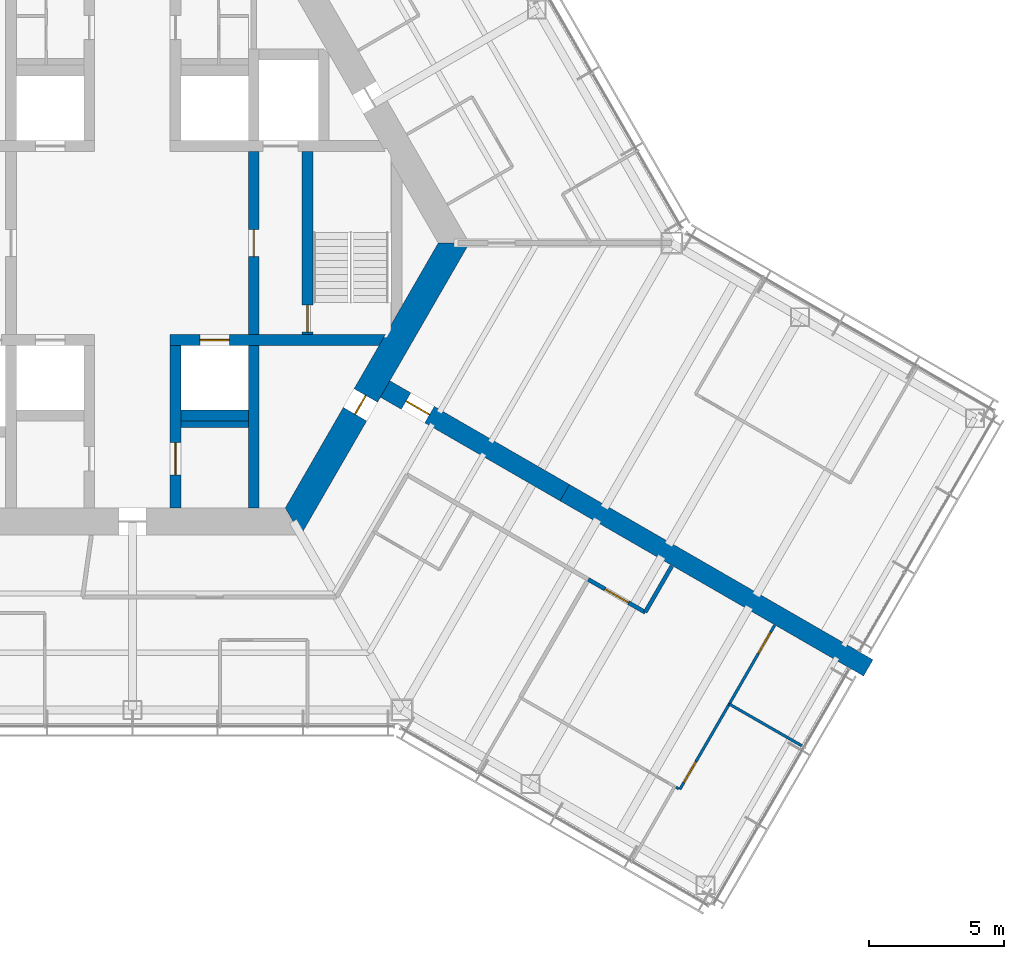
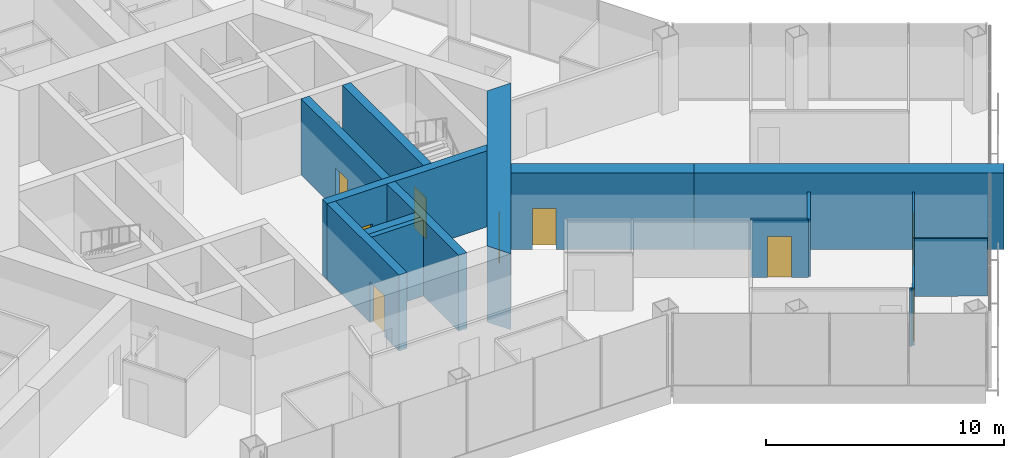
# One storey, part 14 of 19: 16 walls, 9 doors, 9 openings.
"""IFC4 building model written with IfcOpenShell, lengths in metres."""

from ifc_helpers import new_model, si_unit, direction, frame, frame_2d, origin, place, context, subcontext, project, spatial, polyline, rectangle, outline, extrude, material, layer, layer_set, type_object, element, fill, save


model = new_model("IFC4")

# Units and contexts
model_context = context("Model", 3, precision=1e-05, world=origin(), true_north=direction((0.0, 1.0)))
body_context = subcontext(model_context, "Body", "Model", "MODEL_VIEW")
ifc_project = project(units=[si_unit("LENGTHUNIT", "METRE"), si_unit("AREAUNIT", "SQUARE_METRE"), si_unit("VOLUMEUNIT", "CUBIC_METRE"), si_unit("PLANEANGLEUNIT", "RADIAN"), si_unit("MASSUNIT", "GRAM", prefix="KILO")], contexts=[model_context])

# Site, building, storey
site_placement = place(None, origin())
site = spatial("IfcSite", under=ifc_project, at=site_placement, CompositionType="ELEMENT")
building_placement = place(site_placement, origin())
building = spatial("IfcBuilding", under=site, at=building_placement, Name="Kasaneha Research Tower", CompositionType="ELEMENT")
storey_placement = place(building_placement, frame((0.0, 0.0, 156.5)))
storey = spatial("IfcBuildingStorey", under=building, at=storey_placement, Name="L39", CompositionType="ELEMENT", Elevation=156.5)

# Wall, opening, door
ifc_material_1 = material(Name="Concrete Fc70", Category="concrete")
ifc_layer_1 = layer(ifc_material_1, 0.39990234375)
ifc_layer_set_1 = layer_set([ifc_layer_1], Name="Core internal wall 400 Fc70")
wall_type_1 = type_object("IfcWallType", Name="Core internal wall 400 Fc70", PredefinedType="SHEAR", material=ifc_layer_set_1)
wall_1_placement = place(storey_placement, frame((1.39990234375, -3.60009765625, 0.0), z_axis=(0.0, 0.0, 1.0), x_axis=(1.0, 0.0, 0.0)))
wall_1 = element("IfcWall", 1, at=wall_1_placement, inside=storey, type_object=wall_type_1, Name="Core wall W2E L39", PredefinedType="SHEAR", context=body_context, shape_type="SweptSolid", body=[
    extrude(outline(polyline([(0.0, -0.199951171875), (1.10009765625, -0.199951171875), (2.2001953125, -0.199951171875), (7.7509765625, -0.199951171875), (7.98193359375, 0.199951171875), (2.2001953125, 0.199951171875), (1.10009765625, 0.199951171875), (0.0, 0.199951171875), (0.0, -0.199951171875)])), origin(), (0.0, 0.0, 1.0), 3.89990234375),
])
opening_1_placement = place(wall_1_placement, frame((1.10009765625, 0.0, 0.0)))
opening_1 = element("IfcOpeningElement", 2, at=opening_1_placement, cuts=wall_1, Name="Opening LD-LM2-L39", PredefinedType="OPENING", context=body_context, shape_type="SweptSolid", body=[
    extrude(rectangle(XDim=1.10009765625, YDim=2.10009765625, at=frame_2d((0.550048828125, 1.050048828125))), frame((0.0, 0.2099609375, 0.0), z_axis=(0.0, -1.0, 0.0), x_axis=(1.0, 0.0, 0.0)), (0.0, 0.0, 1.0), 0.419921875),
])
ifc_material_2 = material(Name="Steel", Category="steel")
door_type_1 = type_object("IfcDoorType", Name="Lift landing door 1100x2100", OperationType="DOUBLE_DOOR_SLIDING", PredefinedType="DOOR", material=ifc_material_2)
door_1_placement = place(opening_1_placement, origin())
door_1 = element("IfcDoor", 3, at=door_1_placement, inside=storey, type_object=door_type_1, Name="Landing door LM2 LD-LM2-L39", OperationType="DOUBLE_DOOR_SLIDING", OverallHeight=2.10009765625, OverallWidth=1.10009765625, PredefinedType="DOOR", context=body_context, shape_type="SweptSolid", body=[
    extrude(rectangle(XDim=1.10009765625, YDim=2.10009765625, at=frame_2d((0.550048828125, 1.050048828125))), frame((0.0, 0.02490234375, 0.0), z_axis=(0.0, -1.0, 0.0), x_axis=(1.0, 0.0, 0.0)), (0.0, 0.0, 1.0), 0.050048828125),
])
fill(opening_1, door_1)

wall_2_placement = place(storey_placement, frame((1.60009765625, -3.800048828125, 0.0), z_axis=(0.0, 0.0, 1.0), x_axis=(0.0, -1.0, 0.0)))
wall_2 = element("IfcWall", 4, at=wall_2_placement, inside=storey, type_object=wall_type_1, Name="Core wall CSE L39", PredefinedType="SHEAR", context=body_context, shape_type="SweptSolid", body=[
    extrude(rectangle(XDim=6.02490234375, YDim=0.39990234375, at=frame_2d((3.012451171875, 0.0))), origin(), (0.0, 0.0, 1.0), 3.89990234375),
])
opening_2_placement = place(wall_2_placement, frame((3.60009765625, 0.0, 0.0)))
opening_2 = element("IfcOpeningElement", 5, at=opening_2_placement, cuts=wall_2, Name="Opening L39-D15", PredefinedType="OPENING", context=body_context, shape_type="SweptSolid", body=[
    extrude(rectangle(XDim=1.199951171875, YDim=2.10009765625, at=frame_2d((0.60009765625, 1.050048828125))), frame((0.0, 0.2099609375, 0.0), z_axis=(0.0, -1.0, 0.0), x_axis=(1.0, 0.0, 0.0)), (0.0, 0.0, 1.0), 0.419921875),
])
ifc_material_3 = material(Name="Steel", Category="steel")
door_type_2 = type_object("IfcDoorType", Name="Accessible toilet sliding door FD20 1200x2100", OperationType="SLIDING_TO_LEFT", PredefinedType="DOOR", material=ifc_material_3)
door_2_placement = place(opening_2_placement, origin())
door_2 = element("IfcDoor", 6, at=door_2_placement, inside=storey, type_object=door_type_2, Name="Accessible WC door L39-D15", OperationType="SLIDING_TO_LEFT", OverallHeight=2.10009765625, OverallWidth=1.199951171875, PredefinedType="DOOR", context=body_context, shape_type="SweptSolid", body=[
    extrude(rectangle(XDim=1.199951171875, YDim=2.10009765625, at=frame_2d((0.60009765625, 1.050048828125))), frame((0.0, 0.02490234375, 0.0), z_axis=(0.0, -1.0, 0.0), x_axis=(1.0, 0.0, 0.0)), (0.0, 0.0, 1.0), 0.050048828125),
])
fill(opening_2, door_2)

wall_3_placement = place(storey_placement, frame((4.5, -3.39990234375, 0.0), z_axis=(0.0, 0.0, 1.0), x_axis=(0.0, 1.0, 0.0)))
wall_3 = element("IfcWall", 7, at=wall_3_placement, inside=storey, type_object=wall_type_1, Name="Core wall LBE L39", PredefinedType="SHEAR", context=body_context, shape_type="SweptSolid", body=[
    extrude(rectangle(XDim=6.7998046875, YDim=0.39990234375, at=frame_2d((3.39990234375, 0.0))), origin(), (0.0, 0.0, 1.0), 3.89990234375),
])
opening_3_placement = place(wall_3_placement, frame((2.89990234375, 0.0, 0.0)))
opening_3 = element("IfcOpeningElement", 8, at=opening_3_placement, cuts=wall_3, Name="Opening L39-D08", PredefinedType="OPENING", context=body_context, shape_type="SweptSolid", body=[
    extrude(rectangle(XDim=1.0, YDim=2.10009765625, at=frame_2d((0.5, 1.050048828125))), frame((0.0, 0.2099609375, 0.0), z_axis=(0.0, -1.0, 0.0), x_axis=(1.0, 0.0, 0.0)), (0.0, 0.0, 1.0), 0.419921875),
])
ifc_material_4 = material(Name="Steel", Category="steel")
door_type_3 = type_object("IfcDoorType", Name="Specified fire door FD60 1000x2100", OperationType="NOTDEFINED", PredefinedType="DOOR", material=ifc_material_4)
door_3_placement = place(opening_3_placement, origin())
door_3 = element("IfcDoor", 9, at=door_3_placement, inside=storey, type_object=door_type_3, Name="Lift lobby door east L39-D08", OperationType="SINGLE_SWING_LEFT", OverallHeight=2.10009765625, OverallWidth=1.0, PredefinedType="DOOR", context=body_context, shape_type="SweptSolid", body=[
    extrude(rectangle(XDim=1.0, YDim=2.10009765625, at=frame_2d((0.5, 1.050048828125))), frame((0.0, 0.02490234375, 0.0), z_axis=(0.0, -1.0, 0.0), x_axis=(1.0, 0.0, 0.0)), (0.0, 0.0, 1.0), 0.050048828125),
])
fill(opening_3, door_3)

wall_4_placement = place(storey_placement, frame((6.5, -3.39990234375, 0.0), z_axis=(0.0, 0.0, 1.0), x_axis=(0.0, 1.0, 0.0)))
wall_4 = element("IfcWall", 10, at=wall_4_placement, inside=storey, type_object=wall_type_1, Name="Core wall ANE L39", PredefinedType="SHEAR", context=body_context, shape_type="SweptSolid", body=[
    extrude(rectangle(XDim=6.7998046875, YDim=0.39990234375, at=frame_2d((3.39990234375, 0.0))), origin(), (0.0, 0.0, 1.0), 3.89990234375),
])
opening_4_placement = place(wall_4_placement, frame((0.10009765625, 0.0, 0.0)))
opening_4 = element("IfcOpeningElement", 11, at=opening_4_placement, cuts=wall_4, Name="Opening L39-D10", PredefinedType="OPENING", context=body_context, shape_type="SweptSolid", body=[
    extrude(rectangle(XDim=1.0, YDim=2.10009765625, at=frame_2d((0.5, 1.050048828125))), frame((0.0, 0.2099609375, 0.0), z_axis=(0.0, -1.0, 0.0), x_axis=(1.0, 0.0, 0.0)), (0.0, 0.0, 1.0), 0.419921875),
])
door_4_placement = place(opening_4_placement, origin())
door_4 = element("IfcDoor", 12, at=door_4_placement, inside=storey, type_object=door_type_3, Name="Stair 1 door L39-D10", OperationType="SINGLE_SWING_LEFT", OverallHeight=2.10009765625, OverallWidth=1.0, PredefinedType="DOOR", context=body_context, shape_type="SweptSolid", body=[
    extrude(rectangle(XDim=1.0, YDim=2.10009765625, at=frame_2d((0.5, 1.050048828125))), frame((0.0, 0.02490234375, 0.0), z_axis=(0.0, -1.0, 0.0), x_axis=(1.0, 0.0, 0.0)), (0.0, 0.0, 1.0), 0.050048828125),
])
fill(opening_4, door_4)

# Walls
wall_5_placement = place(storey_placement, frame((4.5, -3.800048828125, 0.0), z_axis=(0.0, 0.0, 1.0), x_axis=(0.0, -1.0, 0.0)))
element("IfcWall", 13, at=wall_5_placement, inside=storey, type_object=wall_type_1, Name="Core wall SSE L39", PredefinedType="SHEAR", context=body_context, shape_type="SweptSolid", body=[
    extrude(rectangle(XDim=6.02490234375, YDim=0.39990234375, at=frame_2d((3.012451171875, 0.0))), origin(), (0.0, 0.0, 1.0), 3.89990234375),
])
wall_6_placement = place(storey_placement, frame((1.800048828125, -6.39990234375, 0.0), z_axis=(0.0, 0.0, 1.0), x_axis=(1.0, 0.0, 0.0)))
element("IfcWall", 14, at=wall_6_placement, inside=storey, type_object=wall_type_1, Name="Core wall S3S L39", PredefinedType="SHEAR", context=body_context, shape_type="SweptSolid", body=[
    extrude(rectangle(XDim=2.5, YDim=0.39990234375, at=frame_2d((1.25, 0.0))), origin(), (0.0, 0.0, 1.0), 3.89990234375),
])

# Wall, opening, door
ifc_material_5 = material(Name="Concrete Fc70", Category="concrete")
ifc_layer_2 = layer(ifc_material_5, 1.0)
ifc_layer_set_2 = layer_set([ifc_layer_2], Name="Core wall 1000 Fc70")
wall_type_2 = type_object("IfcWallType", Name="Core wall 1000 Fc70", PredefinedType="SHEAR", material=ifc_layer_set_2)
wall_7_placement = place(storey_placement, frame((5.961181640625, -10.324951171875, 0.0), z_axis=(0.0, 0.0, 1.0), x_axis=(0.500004296715, 0.866022923061, 0.0)))
wall_7 = element("IfcWall", 15, at=wall_7_placement, inside=storey, type_object=wall_type_2, Name="Core wall 330 L39", PredefinedType="SHEAR", context=body_context, shape_type="SweptSolid", body=[
    extrude(outline(polyline([(-0.28857421875, -0.5), (4.593994140625, -0.5), (5.39404296875, -0.5), (12.2109375, -0.5), (11.6337890625, 0.5), (5.39404296875, 0.5), (4.593994140625, 0.5), (0.28857421875, 0.5), (-0.28857421875, -0.5)])), origin(), (0.0, 0.0, 1.0), 3.89990234375),
])
opening_5_placement = place(wall_7_placement, frame((4.593994140625, 0.0, 0.0)))
opening_5 = element("IfcOpeningElement", 16, at=opening_5_placement, cuts=wall_7, Name="Opening L39-D05", PredefinedType="OPENING", context=body_context, shape_type="SweptSolid", body=[
    extrude(rectangle(XDim=0.800048828125, YDim=2.10009765625, at=frame_2d((0.39990234375, 1.050048828125))), frame((0.0, 0.510009765625, 0.0), z_axis=(0.0, -1.0, 0.0), x_axis=(1.0, 0.0, 0.0)), (0.0, 0.0, 1.0), 1.02001953125),
])
ifc_material_6 = material(Name="Steel", Category="steel")
door_type_4 = type_object("IfcDoorType", Name="Riser access door FD60 800x2100", OperationType="NOTDEFINED", PredefinedType="DOOR", material=ifc_material_6)
door_5_placement = place(opening_5_placement, origin())
door_5 = element("IfcDoor", 17, at=door_5_placement, inside=storey, type_object=door_type_4, Name="Pipe riser door L39-D05", OperationType="SINGLE_SWING_LEFT", OverallHeight=2.10009765625, OverallWidth=0.800048828125, PredefinedType="DOOR", context=body_context, shape_type="SweptSolid", body=[
    extrude(rectangle(XDim=0.800048828125, YDim=2.10009765625, at=frame_2d((0.39990234375, 1.050048828125))), frame((0.0, 0.02490234375, 0.0), z_axis=(0.0, -1.0, 0.0), x_axis=(1.0, 0.0, 0.0)), (0.0, 0.0, 1.0), 0.050048828125),
])
fill(opening_5, door_5)

# Wall
ifc_material_7 = material(Name="Gypsum board on steel studs, one layer each side", Category="steel")
ifc_layer_3 = layer(ifc_material_7, 0.10009765625)
ifc_layer_set_3 = layer_set([ifc_layer_3], Name="Office partition 100")
wall_type_3 = type_object("IfcWallType", Name="Office partition 100", PredefinedType="PARTITIONING", material=ifc_layer_set_3)
wall_8_placement = place(storey_placement, frame((22.137451171875, -17.09765625, 0.0), z_axis=(0.0, 0.0, 1.0), x_axis=(0.866817104484, -0.498626220103, 0.0)))
element("IfcWall", 18, at=wall_8_placement, inside=storey, type_object=wall_type_3, Name="Office partition FCS14 L39", PredefinedType="PARTITIONING", context=body_context, shape_type="SweptSolid", body=[
    extrude(rectangle(XDim=3.105224609375, YDim=0.10009765625, at=frame_2d((1.552734375, 0.0))), origin(), (0.0, 0.0, 1.0), 2.949951171875),
])

# Wall, opening, door
wall_9_placement = place(storey_placement, frame((20.306396484375, -20.267578125, 0.0), z_axis=(0.0, 0.0, 1.0), x_axis=(0.501222652689, 0.865318353227, 0.0)))
wall_9 = element("IfcWall", 19, at=wall_9_placement, inside=storey, type_object=wall_type_3, Name="Office partition FCS15 L39", PredefinedType="PARTITIONING", context=body_context, shape_type="SweptSolid", body=[
    extrude(rectangle(XDim=3.665771484375, YDim=0.10009765625, at=frame_2d((1.8330078125, 0.0))), origin(), (0.0, 0.0, 1.0), 2.949951171875),
])
opening_6_placement = place(wall_9_placement, frame((0.300048828125, 0.0, 0.0)))
opening_6 = element("IfcOpeningElement", 20, at=opening_6_placement, cuts=wall_9, Name="Opening L39-D51", PredefinedType="OPENING", context=body_context, shape_type="SweptSolid", body=[
    extrude(rectangle(XDim=0.89990234375, YDim=2.10009765625, at=frame_2d((0.449951171875, 1.050048828125))), frame((0.0, 0.06005859375, 0.0), z_axis=(0.0, -1.0, 0.0), x_axis=(1.0, 0.0, 0.0)), (0.0, 0.0, 1.0), 0.1201171875),
])
ifc_material_8 = material(Name="Timber veneer", Category="wood")
door_type_5 = type_object("IfcDoorType", Name="Office door 900x2100", OperationType="SINGLE_SWING_LEFT", PredefinedType="DOOR", material=ifc_material_8)
door_6_placement = place(opening_6_placement, origin())
door_6 = element("IfcDoor", 21, at=door_6_placement, inside=storey, type_object=door_type_5, Name="Manager's office door L39-D51", OperationType="SINGLE_SWING_LEFT", OverallHeight=2.10009765625, OverallWidth=0.89990234375, PredefinedType="DOOR", context=body_context, shape_type="SweptSolid", body=[
    extrude(rectangle(XDim=0.89990234375, YDim=2.10009765625, at=frame_2d((0.449951171875, 1.050048828125))), frame((0.0, 0.02490234375, 0.0), z_axis=(0.0, -1.0, 0.0), x_axis=(1.0, 0.0, 0.0)), (0.0, 0.0, 1.0), 0.050048828125),
])
fill(opening_6, door_6)

wall_10_placement = place(storey_placement, frame((22.143798828125, -17.095458984375, 0.0), z_axis=(0.0, 0.0, 1.0), x_axis=(0.49891157834, 0.866652893031, 0.0)))
wall_10 = element("IfcWall", 22, at=wall_10_placement, inside=storey, type_object=wall_type_3, Name="Office partition FCS16 L39", PredefinedType="PARTITIONING", context=body_context, shape_type="SweptSolid", body=[
    extrude(rectangle(XDim=3.36328125, YDim=0.10009765625, at=frame_2d((1.681640625, 0.0))), origin(), (0.0, 0.0, 1.0), 2.949951171875),
])
opening_7_placement = place(wall_10_placement, frame((2.163330078125, 0.0, 0.0)))
opening_7 = element("IfcOpeningElement", 23, at=opening_7_placement, cuts=wall_10, Name="Opening L39-D52", PredefinedType="OPENING", context=body_context, shape_type="SweptSolid", body=[
    extrude(rectangle(XDim=0.89990234375, YDim=2.10009765625, at=frame_2d((0.449951171875, 1.050048828125))), frame((0.0, 0.06005859375, 0.0), z_axis=(0.0, -1.0, 0.0), x_axis=(1.0, 0.0, 0.0)), (0.0, 0.0, 1.0), 0.1201171875),
])
door_7_placement = place(opening_7_placement, origin())
door_7 = element("IfcDoor", 24, at=door_7_placement, inside=storey, type_object=door_type_5, Name="Manager's office door L39-D52", OperationType="SINGLE_SWING_RIGHT", OverallHeight=2.10009765625, OverallWidth=0.89990234375, PredefinedType="DOOR", context=body_context, shape_type="SweptSolid", body=[
    extrude(rectangle(XDim=0.89990234375, YDim=2.10009765625, at=frame_2d((0.449951171875, 1.050048828125))), frame((0.0, 0.02490234375, 0.0), z_axis=(0.0, -1.0, 0.0), x_axis=(1.0, 0.0, 0.0)), (0.0, 0.0, 1.0), 0.050048828125),
])
fill(opening_7, door_7)

# Wall
wall_11_placement = place(storey_placement, frame((20.262939453125, -20.24267578125, 0.0), z_axis=(0.0, 0.0, 1.0), x_axis=(-0.868768086692, 0.495219155068, 0.0)))
element("IfcWall", 25, at=wall_11_placement, inside=storey, type_object=wall_type_3, Name="Office partition closer PT5 L39", PredefinedType="PARTITIONING", context=body_context, shape_type="SweptSolid", body=[
    extrude(rectangle(XDim=0.1142578125, YDim=0.10009765625, at=frame_2d((0.05712890625, 0.0))), origin(), (0.0, 0.0, 1.0), 2.949951171875),
])

# Wall, opening, door
ifc_material_9 = material(Name="Concrete Fc70", Category="concrete")
ifc_layer_4 = layer(ifc_material_9, 0.699951171875)
ifc_layer_set_4 = layer_set([ifc_layer_4], Name="Spine wall 700 Fc70")
wall_type_4 = type_object("IfcWallType", Name="Spine wall 700 Fc70", PredefinedType="SHEAR", material=ifc_layer_set_4)
wall_12_placement = place(storey_placement, frame((9.374755859375, -5.41259765625, 0.0), z_axis=(0.0, 0.0, 1.0), x_axis=(0.866032377459, -0.499987921047, 0.0)))
wall_12 = element("IfcWall", 26, at=wall_12_placement, inside=storey, type_object=wall_type_4, Name="Spine wall C L39", PredefinedType="SHEAR", context=body_context, shape_type="SweptSolid", body=[
    extrude(rectangle(XDim=7.695556640625, YDim=0.699951171875, at=frame_2d((3.84765625, 0.0))), origin(), (0.0, 0.0, 1.0), 3.89990234375),
])
opening_8_placement = place(wall_12_placement, frame((0.89990234375, 0.0, 0.0)))
opening_8 = element("IfcOpeningElement", 27, at=opening_8_placement, cuts=wall_12, Name="Opening L39-D19", PredefinedType="OPENING", context=body_context, shape_type="SweptSolid", body=[
    extrude(rectangle(XDim=1.0, YDim=2.10009765625, at=frame_2d((0.5, 1.050048828125))), frame((0.0, 0.35986328125, 0.0), z_axis=(0.0, -1.0, 0.0), x_axis=(1.0, 0.0, 0.0)), (0.0, 0.0, 1.0), 0.719970703125),
])
door_8_placement = place(opening_8_placement, origin())
door_8 = element("IfcDoor", 28, at=door_8_placement, inside=storey, type_object=door_type_3, Name="Spine doorway C L39-D19", OperationType="SINGLE_SWING_LEFT", OverallHeight=2.10009765625, OverallWidth=1.0, PredefinedType="DOOR", context=body_context, shape_type="SweptSolid", body=[
    extrude(rectangle(XDim=1.0, YDim=2.10009765625, at=frame_2d((0.5, 1.050048828125))), frame((0.0, 0.02490234375, 0.0), z_axis=(0.0, -1.0, 0.0), x_axis=(1.0, 0.0, 0.0)), (0.0, 0.0, 1.0), 0.050048828125),
])
fill(opening_8, door_8)

# Wall
wall_13_placement = place(storey_placement, frame((16.039306640625, -9.26025390625, 0.0), z_axis=(0.0, 0.0, 1.0), x_axis=(0.866024837091, -0.50000098154, 0.0)))
element("IfcWall", 29, at=wall_13_placement, inside=storey, type_object=wall_type_4, Name="Spine wall C wing L39", PredefinedType="SHEAR", context=body_context, shape_type="SweptSolid", body=[
    extrude(rectangle(XDim=13.0, YDim=0.699951171875, at=frame_2d((6.5, 0.0))), origin(), (0.0, 0.0, 1.0), 3.89990234375),
])

# Wall, opening, door
ifc_material_10 = material(Name="Gypsum board on steel studs, two layers each side", Category="steel")
ifc_layer_5 = layer(ifc_material_10, 0.14990234375)
ifc_layer_set_5 = layer_set([ifc_layer_5], Name="Suite partition 150")
wall_type_5 = type_object("IfcWallType", Name="Suite partition 150", PredefinedType="PARTITIONING", material=ifc_layer_set_5)
wall_14_placement = place(storey_placement, frame((19.021240234375, -13.6953125, 0.0), z_axis=(0.0, 0.0, 1.0), x_axis=(-0.866068692046, 0.499925015036, 0.0)))
wall_14 = element("IfcWall", 30, at=wall_14_placement, inside=storey, type_object=wall_type_5, Name="Suite partition FCS07 L39", PredefinedType="PARTITIONING", context=body_context, shape_type="SweptSolid", body=[
    extrude(rectangle(XDim=2.434326171875, YDim=0.14990234375, at=frame_2d((1.21728515625, 0.0))), origin(), (0.0, 0.0, 1.0), 2.949951171875),
])
opening_9_placement = place(wall_14_placement, frame((0.71728515625, 0.0, 0.0)))
opening_9 = element("IfcOpeningElement", 31, at=opening_9_placement, cuts=wall_14, Name="Opening L39-D48", PredefinedType="OPENING", context=body_context, shape_type="SweptSolid", body=[
    extrude(rectangle(XDim=1.0, YDim=2.10009765625, at=frame_2d((0.5, 1.050048828125))), frame((0.0, 0.0849609375, 0.0), z_axis=(0.0, -1.0, 0.0), x_axis=(1.0, 0.0, 0.0)), (0.0, 0.0, 1.0), 0.169921875),
])
ifc_material_11 = material(Name="Steel", Category="steel")
door_type_6 = type_object("IfcDoorType", Name="Suite entrance door FD60 1000x2100", OperationType="NOTDEFINED", PredefinedType="DOOR", material=ifc_material_11)
door_9_placement = place(opening_9_placement, origin())
door_9 = element("IfcDoor", 32, at=door_9_placement, inside=storey, type_object=door_type_6, Name="Suite entrance door L39-D48", OperationType="SINGLE_SWING_LEFT", OverallHeight=2.10009765625, OverallWidth=1.0, PredefinedType="DOOR", context=body_context, shape_type="SweptSolid", body=[
    extrude(rectangle(XDim=1.0, YDim=2.10009765625, at=frame_2d((0.5, 1.050048828125))), frame((0.0, 0.02490234375, 0.0), z_axis=(0.0, -1.0, 0.0), x_axis=(1.0, 0.0, 0.0)), (0.0, 0.0, 1.0), 0.050048828125),
])
fill(opening_9, door_9)

# Walls
wall_15_placement = place(storey_placement, frame((20.01123046875, -11.980712890625, 0.0), z_axis=(0.0, 0.0, 1.0), x_axis=(-0.500024883228, -0.866011036969, 0.0)))
element("IfcWall", 33, at=wall_15_placement, inside=storey, type_object=wall_type_5, Name="Suite partition FCS08 L39", PredefinedType="PARTITIONING", context=body_context, shape_type="SweptSolid", body=[
    extrude(rectangle(XDim=1.97998046875, YDim=0.14990234375, at=frame_2d((0.989990234375, 0.0))), origin(), (0.0, 0.0, 1.0), 2.949951171875),
])
ifc_material_12 = material(Name="Concrete block lining", Category="concrete")
ifc_layer_6 = layer(ifc_material_12, 0.25)
ifc_layer_set_6 = layer_set([ifc_layer_6], Name="WC plumbing wall 250")
wall_type_6 = type_object("IfcWallType", Name="WC plumbing wall 250", PredefinedType="PLUMBINGWALL", material=ifc_layer_set_6)
wall_16_placement = place(storey_placement, frame((1.800048828125, -6.72509765625, 0.0), z_axis=(0.0, 0.0, 1.0), x_axis=(1.0, 0.0, 0.0)))
element("IfcWall", 34, at=wall_16_placement, inside=storey, type_object=wall_type_6, Name="WC plumbing wall A L39", PredefinedType="PLUMBINGWALL", context=body_context, shape_type="SweptSolid", body=[
    extrude(rectangle(XDim=2.5, YDim=0.25, at=frame_2d((1.25, 0.0))), origin(), (0.0, 0.0, 1.0), 3.89990234375),
])

save(model, "model.ifc")
